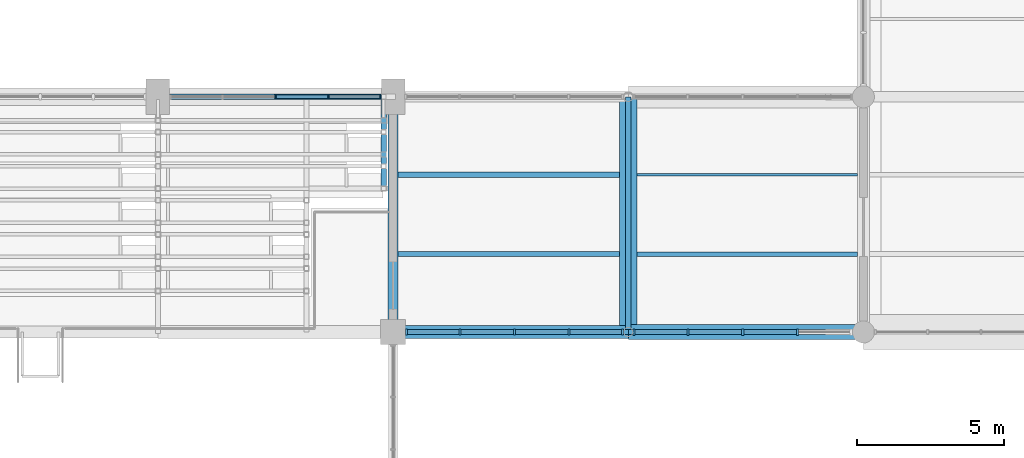
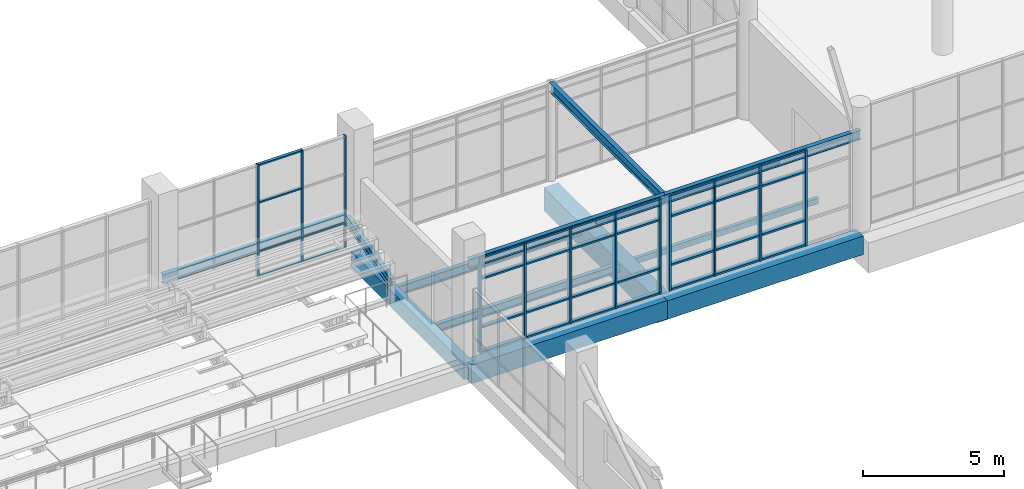
# One storey, part 18 of 122: 46 members, 13 beams, 3 elements without a shape of their own.
"""IFC4 building model written with IfcOpenShell, lengths in metres."""

from ifc_helpers import new_model, si_unit, direction, frame, origin, origin_2d, place, context, subcontext, project, spatial, rectangle, hollow_rectangle, i_section, extrude, material, material_profile, profile_set, type_object, element, aggregate, save


model = new_model("IFC4")

# Units and contexts
model_context = context("Model", 3, precision=1e-05, world=origin(), true_north=direction((0.0, 1.0)))
body_context = subcontext(model_context, "Body", "Model", "MODEL_VIEW")
ifc_project = project(units=[si_unit("LENGTHUNIT", "METRE"), si_unit("AREAUNIT", "SQUARE_METRE"), si_unit("VOLUMEUNIT", "CUBIC_METRE"), si_unit("PLANEANGLEUNIT", "RADIAN"), si_unit("MASSUNIT", "GRAM", prefix="KILO")], contexts=[model_context])

# Site, building, storey
site_placement = place(None, origin())
site = spatial("IfcSite", under=ifc_project, at=site_placement, CompositionType="ELEMENT")
building_placement = place(site_placement, origin())
building = spatial("IfcBuilding", under=site, at=building_placement, Name="Tenunan Teduh Sports Hall", CompositionType="ELEMENT")
storey_placement = place(building_placement, frame((0.0, 0.0, 5.39990234375)))
storey = spatial("IfcBuildingStorey", under=building, at=storey_placement, Name="L01", CompositionType="ELEMENT", Elevation=5.39990234375)

# Beams
ifc_material_1 = material(Name="Concrete C40/50", Category="concrete")
ifc_material_profile_1 = material_profile(ifc_material_1, rectangle(XDim=0.35009765625, YDim=0.699951171875, at=origin_2d()), Name="RCB 350x700")
ifc_profile_set_1 = profile_set([ifc_material_profile_1], Name="Concrete C40/50")
beam_type_1 = type_object("IfcBeamType", Name="BM-RC-350x700", PredefinedType="BEAM", material=ifc_profile_set_1)
beam_1_placement = place(storey_placement, frame((54.0, 38.0, -0.60986328125), z_axis=(0.0, 1.0, 0.0), x_axis=(-1.0, 0.0, 0.0)))
element("IfcBeam", 1, at=beam_1_placement, inside=storey, type_object=beam_type_1, Name="BM-B-06-L01-1221", PredefinedType="BEAM", context=body_context, shape_type="SweptSolid", body=[
    extrude(rectangle(XDim=0.35009765625, YDim=0.699951171875, at=origin_2d()), origin(), (0.0, 0.0, 1.0), 8.0),
])
ifc_material_2 = material(Name="Concrete C40/50", Category="concrete")
ifc_material_profile_2 = material_profile(ifc_material_2, rectangle(XDim=0.449951171875, YDim=0.800048828125, at=origin_2d()), Name="RCB 450x800")
ifc_profile_set_2 = profile_set([ifc_material_profile_2], Name="Concrete C40/50")
beam_type_2 = type_object("IfcBeamType", Name="BM-RC-450x800", PredefinedType="BEAM", material=ifc_profile_set_2)
beam_2_placement = place(storey_placement, frame((54.0, 38.0, -0.659912109375), z_axis=(1.0, 0.0, 0.0), x_axis=(0.0, 1.0, 0.0)))
element("IfcBeam", 2, at=beam_2_placement, inside=storey, type_object=beam_type_2, Name="BM-B-12-L01-1060", PredefinedType="BEAM", context=body_context, shape_type="SweptSolid", body=[
    extrude(rectangle(XDim=0.449951171875, YDim=0.800048828125, at=origin_2d()), origin(), (0.0, 0.0, 1.0), 8.0),
])
ifc_material_3 = material(Name="Concrete C40/50", Category="concrete")
ifc_material_profile_3 = material_profile(ifc_material_3, rectangle(XDim=0.5, YDim=0.800048828125, at=origin_2d()), Name="RCB 500x800")
ifc_profile_set_3 = profile_set([ifc_material_profile_3], Name="Concrete C40/50")
beam_type_3 = type_object("IfcBeamType", Name="BM-RC-500x800", PredefinedType="BEAM", material=ifc_profile_set_3)
beam_3_placement = place(storey_placement, frame((62.0, 38.0, -0.659912109375), z_axis=(1.0, 0.0, 0.0), x_axis=(0.0, 1.0, 0.0)))
element("IfcBeam", 3, at=beam_3_placement, inside=storey, type_object=beam_type_3, Name="BM-B-14-L01-1061", PredefinedType="BEAM", context=body_context, shape_type="SweptSolid", body=[
    extrude(rectangle(XDim=0.5, YDim=0.800048828125, at=origin_2d()), origin(), (0.0, 0.0, 1.0), 8.0),
])
ifc_material_4 = material(Name="Concrete C40/50", Category="concrete")
ifc_material_profile_4 = material_profile(ifc_material_4, rectangle(XDim=0.60009765625, YDim=1.0, at=origin_2d()), Name="RCB 600x1000")
ifc_profile_set_4 = profile_set([ifc_material_profile_4], Name="Concrete C40/50")
beam_type_4 = type_object("IfcBeamType", Name="BM-RC-600x1000", PredefinedType="BEAM", material=ifc_profile_set_4)
beam_4_placement = place(storey_placement, frame((62.0, 38.0, -0.760009765625), z_axis=(0.0, 1.0, 0.0), x_axis=(-1.0, 0.0, 0.0)))
element("IfcBeam", 4, at=beam_4_placement, inside=storey, type_object=beam_type_4, Name="BM-B-18-L01-1226", PredefinedType="BEAM", context=body_context, shape_type="SweptSolid", body=[
    extrude(rectangle(XDim=0.60009765625, YDim=1.0, at=origin_2d()), origin(), (0.0, 0.0, 1.0), 8.0),
])

# Curtain wall, members
ifc_material_5 = material(Name="Anodised aluminium", Category="aluminium")
curtain_wall_type_1 = type_object("IfcCurtainWallType", Name="CW-UNIT-1", PredefinedType="NOTDEFINED", material=ifc_material_5)
curtain_wall_1_placement = place(storey_placement, origin())
curtain_wall_1 = element("IfcCurtainWall", 5, at=curtain_wall_1_placement, inside=storey, type_object=curtain_wall_type_1, Name="CW-CWM-150-L01-051", PredefinedType="NOTDEFINED")
ifc_material_6 = material(Name="Anodised aluminium", Category="aluminium")
ifc_material_profile_5 = material_profile(ifc_material_6, rectangle(XDim=0.06005859375, YDim=0.14990234375, at=origin_2d()), Name="CWM 60x150")
ifc_profile_set_5 = profile_set([ifc_material_profile_5], Name="Anodised aluminium")
member_type_1 = type_object("IfcMemberType", Name="CWM-150", PredefinedType="MULLION", material=ifc_profile_set_5)
member_1_placement = place(storey_placement, frame((50.0, 46.0, 0.0), z_axis=(0.0, 0.0, 1.0), x_axis=(1.0, 0.0, 0.0)))
member_1 = element("IfcMember", 6, at=member_1_placement, type_object=member_type_1, Name="CW-01 mullion 3", PredefinedType="MULLION", context=body_context, shape_type="SweptSolid", body=[
    extrude(rectangle(XDim=0.06005859375, YDim=0.14990234375, at=origin_2d()), origin(), (0.0, 0.0, 1.0), 4.85009765625),
])
member_2_placement = place(storey_placement, frame((51.800048828125, 46.0, 0.0), z_axis=(0.0, 0.0, 1.0), x_axis=(1.0, 0.0, 0.0)))
member_2 = element("IfcMember", 7, at=member_2_placement, type_object=member_type_1, Name="CW-01 mullion 4", PredefinedType="MULLION", context=body_context, shape_type="SweptSolid", body=[
    extrude(rectangle(XDim=0.06005859375, YDim=0.14990234375, at=origin_2d()), origin(), (0.0, 0.0, 1.0), 4.85009765625),
])
member_3_placement = place(storey_placement, frame((53.570068359375, 46.0, 0.0), z_axis=(0.0, 0.0, 1.0), x_axis=(1.0, 0.0, 0.0)))
member_3 = element("IfcMember", 8, at=member_3_placement, type_object=member_type_1, Name="CW-01 mullion 5", PredefinedType="MULLION", context=body_context, shape_type="SweptSolid", body=[
    extrude(rectangle(XDim=0.06005859375, YDim=0.14990234375, at=origin_2d()), origin(), (0.0, 0.0, 1.0), 4.85009765625),
])

ifc_material_7 = material(Name="Anodised aluminium", Category="aluminium")
curtain_wall_type_2 = type_object("IfcCurtainWallType", Name="CW-UNIT-2", PredefinedType="NOTDEFINED", material=ifc_material_7)
curtain_wall_2_placement = place(storey_placement, origin())
curtain_wall_2 = element("IfcCurtainWall", 9, at=curtain_wall_2_placement, inside=storey, type_object=curtain_wall_type_2, Name="CW-CWM-200-L01-176", PredefinedType="NOTDEFINED")
ifc_material_8 = material(Name="Anodised aluminium", Category="aluminium")
ifc_material_profile_6 = material_profile(ifc_material_8, rectangle(XDim=0.070068359375, YDim=0.199951171875, at=origin_2d()), Name="CWM 70x200")
ifc_profile_set_6 = profile_set([ifc_material_profile_6], Name="Anodised aluminium")
member_type_2 = type_object("IfcMemberType", Name="CWM-200", PredefinedType="MULLION", material=ifc_profile_set_6)
member_4_placement = place(storey_placement, frame((54.4599609375, 38.0, 0.0), z_axis=(0.0, 0.0, 1.0), x_axis=(1.0, 0.0, 0.0)))
member_4 = element("IfcMember", 10, at=member_4_placement, type_object=member_type_2, Name="CW-02 mullion 1", PredefinedType="MULLION", context=body_context, shape_type="SweptSolid", body=[
    extrude(rectangle(XDim=0.070068359375, YDim=0.199951171875, at=origin_2d()), origin(), (0.0, 0.0, 1.0), 4.150146484375),
])
member_5_placement = place(storey_placement, frame((56.2783203125, 38.0, 0.0), z_axis=(0.0, 0.0, 1.0), x_axis=(1.0, 0.0, 0.0)))
member_5 = element("IfcMember", 11, at=member_5_placement, type_object=member_type_2, Name="CW-02 mullion 2", PredefinedType="MULLION", context=body_context, shape_type="SweptSolid", body=[
    extrude(rectangle(XDim=0.070068359375, YDim=0.199951171875, at=origin_2d()), origin(), (0.0, 0.0, 1.0), 4.150146484375),
])
member_6_placement = place(storey_placement, frame((58.131591796875, 38.0, 0.0), z_axis=(0.0, 0.0, 1.0), x_axis=(1.0, 0.0, 0.0)))
member_6 = element("IfcMember", 12, at=member_6_placement, type_object=member_type_2, Name="CW-02 mullion 3", PredefinedType="MULLION", context=body_context, shape_type="SweptSolid", body=[
    extrude(rectangle(XDim=0.070068359375, YDim=0.199951171875, at=origin_2d()), origin(), (0.0, 0.0, 1.0), 4.150146484375),
])
member_7_placement = place(storey_placement, frame((59.98486328125, 38.0, 0.0), z_axis=(0.0, 0.0, 1.0), x_axis=(1.0, 0.0, 0.0)))
member_7 = element("IfcMember", 13, at=member_7_placement, type_object=member_type_2, Name="CW-02 mullion 4", PredefinedType="MULLION", context=body_context, shape_type="SweptSolid", body=[
    extrude(rectangle(XDim=0.070068359375, YDim=0.199951171875, at=origin_2d()), origin(), (0.0, 0.0, 1.0), 4.150146484375),
])
member_8_placement = place(storey_placement, frame((61.802978515625, 38.0, 0.0), z_axis=(0.0, 0.0, 1.0), x_axis=(1.0, 0.0, 0.0)))
member_8 = element("IfcMember", 14, at=member_8_placement, type_object=member_type_2, Name="CW-02 mullion 5", PredefinedType="MULLION", context=body_context, shape_type="SweptSolid", body=[
    extrude(rectangle(XDim=0.070068359375, YDim=0.199951171875, at=origin_2d()), origin(), (0.0, 0.0, 1.0), 4.150146484375),
])

curtain_wall_3_placement = place(storey_placement, origin())
curtain_wall_3 = element("IfcCurtainWall", 15, at=curtain_wall_3_placement, inside=storey, type_object=curtain_wall_type_2, Name="CW-CWM-220-L01-177", PredefinedType="NOTDEFINED")
ifc_material_9 = material(Name="Anodised aluminium", Category="aluminium")
ifc_material_profile_7 = material_profile(ifc_material_9, rectangle(XDim=0.074951171875, YDim=0.219970703125, at=origin_2d()), Name="CWM 75x220")
ifc_profile_set_7 = profile_set([ifc_material_profile_7], Name="Anodised aluminium")
member_type_3 = type_object("IfcMemberType", Name="CWM-220", PredefinedType="MULLION", material=ifc_profile_set_7)
member_9_placement = place(storey_placement, frame((62.199462890625, 38.0, 0.0), z_axis=(0.0, 0.0, 1.0), x_axis=(1.0, 0.0, 0.0)))
member_9 = element("IfcMember", 16, at=member_9_placement, type_object=member_type_3, Name="CW-02 mullion 1", PredefinedType="MULLION", context=body_context, shape_type="SweptSolid", body=[
    extrude(rectangle(XDim=0.074951171875, YDim=0.219970703125, at=origin_2d()), origin(), (0.0, 0.0, 1.0), 4.150146484375),
])
member_10_placement = place(storey_placement, frame((64.027587890625, 38.0, 0.0), z_axis=(0.0, 0.0, 1.0), x_axis=(1.0, 0.0, 0.0)))
member_10 = element("IfcMember", 17, at=member_10_placement, type_object=member_type_3, Name="CW-02 mullion 2", PredefinedType="MULLION", context=body_context, shape_type="SweptSolid", body=[
    extrude(rectangle(XDim=0.074951171875, YDim=0.219970703125, at=origin_2d()), origin(), (0.0, 0.0, 1.0), 4.150146484375),
])
member_11_placement = place(storey_placement, frame((65.8935546875, 38.0, 0.0), z_axis=(0.0, 0.0, 1.0), x_axis=(1.0, 0.0, 0.0)))
member_11 = element("IfcMember", 18, at=member_11_placement, type_object=member_type_3, Name="CW-02 mullion 3", PredefinedType="MULLION", context=body_context, shape_type="SweptSolid", body=[
    extrude(rectangle(XDim=0.074951171875, YDim=0.219970703125, at=origin_2d()), origin(), (0.0, 0.0, 1.0), 4.150146484375),
])
member_12_placement = place(storey_placement, frame((67.75927734375, 38.0, 0.0), z_axis=(0.0, 0.0, 1.0), x_axis=(1.0, 0.0, 0.0)))
member_12 = element("IfcMember", 19, at=member_12_placement, type_object=member_type_3, Name="CW-02 mullion 4", PredefinedType="MULLION", context=body_context, shape_type="SweptSolid", body=[
    extrude(rectangle(XDim=0.074951171875, YDim=0.219970703125, at=origin_2d()), origin(), (0.0, 0.0, 1.0), 4.150146484375),
])

# Member
ifc_material_10 = material(Name="Anodised aluminium", Category="aluminium")
ifc_material_profile_8 = material_profile(ifc_material_10, rectangle(XDim=0.06005859375, YDim=0.1201171875, at=origin_2d()), Name="CWT 60x120")
ifc_profile_set_8 = profile_set([ifc_material_profile_8], Name="Anodised aluminium")
member_type_4 = type_object("IfcMemberType", Name="CWT-125", PredefinedType="USERDEFINED", material=ifc_profile_set_8)
member_13_placement = place(storey_placement, frame((50.030029296875, 46.0, 0.030029296875), z_axis=(1.0, 0.0, 0.0), x_axis=(0.0, 0.0, 1.0)))
member_13 = element("IfcMember", 20, at=member_13_placement, type_object=member_type_4, Name="CW-01 transom 3.1", ObjectType="TRANSOM", PredefinedType="USERDEFINED", context=body_context, shape_type="SweptSolid", body=[
    extrude(rectangle(XDim=0.06005859375, YDim=0.1201171875, at=origin_2d()), origin(), (0.0, 0.0, 1.0), 1.739990234375),
])

member_14_placement = place(storey_placement, frame((50.030029296875, 46.0, 1.10009765625), z_axis=(1.0, 0.0, 0.0), x_axis=(0.0, 0.0, 1.0)))
member_14 = element("IfcMember", 21, at=member_14_placement, type_object=member_type_4, Name="CW-01 transom 3.2", ObjectType="TRANSOM", PredefinedType="USERDEFINED", context=body_context, shape_type="SweptSolid", body=[
    extrude(rectangle(XDim=0.06005859375, YDim=0.1201171875, at=origin_2d()), origin(), (0.0, 0.0, 1.0), 1.739990234375),
])

member_15_placement = place(storey_placement, frame((50.030029296875, 46.0, 3.2001953125), z_axis=(1.0, 0.0, 0.0), x_axis=(0.0, 0.0, 1.0)))
member_15 = element("IfcMember", 22, at=member_15_placement, type_object=member_type_4, Name="CW-01 transom 3.3", ObjectType="TRANSOM", PredefinedType="USERDEFINED", context=body_context, shape_type="SweptSolid", body=[
    extrude(rectangle(XDim=0.06005859375, YDim=0.1201171875, at=origin_2d()), origin(), (0.0, 0.0, 1.0), 1.739990234375),
])

member_16_placement = place(storey_placement, frame((50.030029296875, 46.0, 4.820068359375), z_axis=(1.0, 0.0, 0.0), x_axis=(0.0, 0.0, 1.0)))
member_16 = element("IfcMember", 23, at=member_16_placement, type_object=member_type_4, Name="CW-01 transom 3.4", ObjectType="TRANSOM", PredefinedType="USERDEFINED", context=body_context, shape_type="SweptSolid", body=[
    extrude(rectangle(XDim=0.06005859375, YDim=0.1201171875, at=origin_2d()), origin(), (0.0, 0.0, 1.0), 1.739990234375),
])

member_17_placement = place(storey_placement, frame((51.830078125, 46.0, 0.030029296875), z_axis=(1.0, 0.0, 0.0), x_axis=(0.0, 0.0, 1.0)))
member_17 = element("IfcMember", 24, at=member_17_placement, type_object=member_type_4, Name="CW-01 transom 4.1", ObjectType="TRANSOM", PredefinedType="USERDEFINED", context=body_context, shape_type="SweptSolid", body=[
    extrude(rectangle(XDim=0.06005859375, YDim=0.1201171875, at=origin_2d()), origin(), (0.0, 0.0, 1.0), 1.7099609375),
])

member_18_placement = place(storey_placement, frame((51.830078125, 46.0, 1.10009765625), z_axis=(1.0, 0.0, 0.0), x_axis=(0.0, 0.0, 1.0)))
member_18 = element("IfcMember", 25, at=member_18_placement, type_object=member_type_4, Name="CW-01 transom 4.2", ObjectType="TRANSOM", PredefinedType="USERDEFINED", context=body_context, shape_type="SweptSolid", body=[
    extrude(rectangle(XDim=0.06005859375, YDim=0.1201171875, at=origin_2d()), origin(), (0.0, 0.0, 1.0), 1.7099609375),
])

aggregate(curtain_wall_1, [member_1, member_2, member_3, member_13, member_14, member_15, member_16, member_17, member_18])

ifc_material_11 = material(Name="Anodised aluminium", Category="aluminium")
ifc_material_profile_9 = material_profile(ifc_material_11, rectangle(XDim=0.074951171875, YDim=0.179931640625, at=origin_2d()), Name="CWT 75x180")
ifc_profile_set_9 = profile_set([ifc_material_profile_9], Name="Anodised aluminium")
member_type_5 = type_object("IfcMemberType", Name="CWT-180", PredefinedType="USERDEFINED", material=ifc_profile_set_9)
member_19_placement = place(storey_placement, frame((62.23681640625, 38.0, 0.03759765625), z_axis=(1.0, 0.0, 0.0), x_axis=(0.0, 0.0, 1.0)))
member_19 = element("IfcMember", 26, at=member_19_placement, type_object=member_type_5, Name="CW-02 transom 1.1", ObjectType="TRANSOM", PredefinedType="USERDEFINED", context=body_context, shape_type="SweptSolid", body=[
    extrude(rectangle(XDim=0.074951171875, YDim=0.179931640625, at=origin_2d()), origin(), (0.0, 0.0, 1.0), 1.75341796875),
])

member_20_placement = place(storey_placement, frame((62.23681640625, 38.0, 1.10009765625), z_axis=(1.0, 0.0, 0.0), x_axis=(0.0, 0.0, 1.0)))
member_20 = element("IfcMember", 27, at=member_20_placement, type_object=member_type_5, Name="CW-02 transom 1.2", ObjectType="TRANSOM", PredefinedType="USERDEFINED", context=body_context, shape_type="SweptSolid", body=[
    extrude(rectangle(XDim=0.074951171875, YDim=0.179931640625, at=origin_2d()), origin(), (0.0, 0.0, 1.0), 1.75341796875),
])

member_21_placement = place(storey_placement, frame((62.23681640625, 38.0, 3.2001953125), z_axis=(1.0, 0.0, 0.0), x_axis=(0.0, 0.0, 1.0)))
member_21 = element("IfcMember", 28, at=member_21_placement, type_object=member_type_5, Name="CW-02 transom 1.3", ObjectType="TRANSOM", PredefinedType="USERDEFINED", context=body_context, shape_type="SweptSolid", body=[
    extrude(rectangle(XDim=0.074951171875, YDim=0.179931640625, at=origin_2d()), origin(), (0.0, 0.0, 1.0), 1.75341796875),
])

member_22_placement = place(storey_placement, frame((62.23681640625, 38.0, 4.112548828125), z_axis=(1.0, 0.0, 0.0), x_axis=(0.0, 0.0, 1.0)))
member_22 = element("IfcMember", 29, at=member_22_placement, type_object=member_type_5, Name="CW-02 transom 1.4", ObjectType="TRANSOM", PredefinedType="USERDEFINED", context=body_context, shape_type="SweptSolid", body=[
    extrude(rectangle(XDim=0.074951171875, YDim=0.179931640625, at=origin_2d()), origin(), (0.0, 0.0, 1.0), 1.75341796875),
])

member_23_placement = place(storey_placement, frame((64.065185546875, 38.0, 0.03759765625), z_axis=(1.0, 0.0, 0.0), x_axis=(0.0, 0.0, 1.0)))
member_23 = element("IfcMember", 30, at=member_23_placement, type_object=member_type_5, Name="CW-02 transom 2.1", ObjectType="TRANSOM", PredefinedType="USERDEFINED", context=body_context, shape_type="SweptSolid", body=[
    extrude(rectangle(XDim=0.074951171875, YDim=0.179931640625, at=origin_2d()), origin(), (0.0, 0.0, 1.0), 1.790771484375),
])

member_24_placement = place(storey_placement, frame((64.065185546875, 38.0, 1.10009765625), z_axis=(1.0, 0.0, 0.0), x_axis=(0.0, 0.0, 1.0)))
member_24 = element("IfcMember", 31, at=member_24_placement, type_object=member_type_5, Name="CW-02 transom 2.2", ObjectType="TRANSOM", PredefinedType="USERDEFINED", context=body_context, shape_type="SweptSolid", body=[
    extrude(rectangle(XDim=0.074951171875, YDim=0.179931640625, at=origin_2d()), origin(), (0.0, 0.0, 1.0), 1.790771484375),
])

member_25_placement = place(storey_placement, frame((64.065185546875, 38.0, 3.2001953125), z_axis=(1.0, 0.0, 0.0), x_axis=(0.0, 0.0, 1.0)))
member_25 = element("IfcMember", 32, at=member_25_placement, type_object=member_type_5, Name="CW-02 transom 2.3", ObjectType="TRANSOM", PredefinedType="USERDEFINED", context=body_context, shape_type="SweptSolid", body=[
    extrude(rectangle(XDim=0.074951171875, YDim=0.179931640625, at=origin_2d()), origin(), (0.0, 0.0, 1.0), 1.790771484375),
])

member_26_placement = place(storey_placement, frame((64.065185546875, 38.0, 4.112548828125), z_axis=(1.0, 0.0, 0.0), x_axis=(0.0, 0.0, 1.0)))
member_26 = element("IfcMember", 33, at=member_26_placement, type_object=member_type_5, Name="CW-02 transom 2.4", ObjectType="TRANSOM", PredefinedType="USERDEFINED", context=body_context, shape_type="SweptSolid", body=[
    extrude(rectangle(XDim=0.074951171875, YDim=0.179931640625, at=origin_2d()), origin(), (0.0, 0.0, 1.0), 1.790771484375),
])

member_27_placement = place(storey_placement, frame((65.930908203125, 38.0, 0.03759765625), z_axis=(1.0, 0.0, 0.0), x_axis=(0.0, 0.0, 1.0)))
member_27 = element("IfcMember", 34, at=member_27_placement, type_object=member_type_5, Name="CW-02 transom 3.1", ObjectType="TRANSOM", PredefinedType="USERDEFINED", context=body_context, shape_type="SweptSolid", body=[
    extrude(rectangle(XDim=0.074951171875, YDim=0.179931640625, at=origin_2d()), origin(), (0.0, 0.0, 1.0), 1.790771484375),
])

member_28_placement = place(storey_placement, frame((65.930908203125, 38.0, 1.10009765625), z_axis=(1.0, 0.0, 0.0), x_axis=(0.0, 0.0, 1.0)))
member_28 = element("IfcMember", 35, at=member_28_placement, type_object=member_type_5, Name="CW-02 transom 3.2", ObjectType="TRANSOM", PredefinedType="USERDEFINED", context=body_context, shape_type="SweptSolid", body=[
    extrude(rectangle(XDim=0.074951171875, YDim=0.179931640625, at=origin_2d()), origin(), (0.0, 0.0, 1.0), 1.790771484375),
])

member_29_placement = place(storey_placement, frame((65.930908203125, 38.0, 3.2001953125), z_axis=(1.0, 0.0, 0.0), x_axis=(0.0, 0.0, 1.0)))
member_29 = element("IfcMember", 36, at=member_29_placement, type_object=member_type_5, Name="CW-02 transom 3.3", ObjectType="TRANSOM", PredefinedType="USERDEFINED", context=body_context, shape_type="SweptSolid", body=[
    extrude(rectangle(XDim=0.074951171875, YDim=0.179931640625, at=origin_2d()), origin(), (0.0, 0.0, 1.0), 1.790771484375),
])

member_30_placement = place(storey_placement, frame((65.930908203125, 38.0, 4.112548828125), z_axis=(1.0, 0.0, 0.0), x_axis=(0.0, 0.0, 1.0)))
member_30 = element("IfcMember", 37, at=member_30_placement, type_object=member_type_5, Name="CW-02 transom 3.4", ObjectType="TRANSOM", PredefinedType="USERDEFINED", context=body_context, shape_type="SweptSolid", body=[
    extrude(rectangle(XDim=0.074951171875, YDim=0.179931640625, at=origin_2d()), origin(), (0.0, 0.0, 1.0), 1.790771484375),
])

aggregate(curtain_wall_3, [member_9, member_10, member_11, member_12, member_19, member_20, member_21, member_22, member_23, member_24, member_25, member_26, member_27, member_28, member_29, member_30])

ifc_material_12 = material(Name="Anodised aluminium", Category="aluminium")
ifc_material_profile_10 = material_profile(ifc_material_12, rectangle(XDim=0.070068359375, YDim=0.159912109375, at=origin_2d()), Name="CWT 70x160")
ifc_profile_set_10 = profile_set([ifc_material_profile_10], Name="Anodised aluminium")
member_type_6 = type_object("IfcMemberType", Name="CWT-200", PredefinedType="USERDEFINED", material=ifc_profile_set_10)
member_31_placement = place(storey_placement, frame((54.4951171875, 38.0, 0.03515625), z_axis=(1.0, 0.0, 0.0), x_axis=(0.0, 0.0, 1.0)))
member_31 = element("IfcMember", 38, at=member_31_placement, type_object=member_type_6, Name="CW-02 transom 1.1", ObjectType="TRANSOM", PredefinedType="USERDEFINED", context=body_context, shape_type="SweptSolid", body=[
    extrude(rectangle(XDim=0.070068359375, YDim=0.159912109375, at=origin_2d()), origin(), (0.0, 0.0, 1.0), 1.748046875),
])

member_32_placement = place(storey_placement, frame((54.4951171875, 38.0, 1.10009765625), z_axis=(1.0, 0.0, 0.0), x_axis=(0.0, 0.0, 1.0)))
member_32 = element("IfcMember", 39, at=member_32_placement, type_object=member_type_6, Name="CW-02 transom 1.2", ObjectType="TRANSOM", PredefinedType="USERDEFINED", context=body_context, shape_type="SweptSolid", body=[
    extrude(rectangle(XDim=0.070068359375, YDim=0.159912109375, at=origin_2d()), origin(), (0.0, 0.0, 1.0), 1.748046875),
])

member_33_placement = place(storey_placement, frame((54.4951171875, 38.0, 3.2001953125), z_axis=(1.0, 0.0, 0.0), x_axis=(0.0, 0.0, 1.0)))
member_33 = element("IfcMember", 40, at=member_33_placement, type_object=member_type_6, Name="CW-02 transom 1.3", ObjectType="TRANSOM", PredefinedType="USERDEFINED", context=body_context, shape_type="SweptSolid", body=[
    extrude(rectangle(XDim=0.070068359375, YDim=0.159912109375, at=origin_2d()), origin(), (0.0, 0.0, 1.0), 1.748046875),
])

member_34_placement = place(storey_placement, frame((54.4951171875, 38.0, 4.114990234375), z_axis=(1.0, 0.0, 0.0), x_axis=(0.0, 0.0, 1.0)))
member_34 = element("IfcMember", 41, at=member_34_placement, type_object=member_type_6, Name="CW-02 transom 1.4", ObjectType="TRANSOM", PredefinedType="USERDEFINED", context=body_context, shape_type="SweptSolid", body=[
    extrude(rectangle(XDim=0.070068359375, YDim=0.159912109375, at=origin_2d()), origin(), (0.0, 0.0, 1.0), 1.748046875),
])

member_35_placement = place(storey_placement, frame((56.313232421875, 38.0, 0.03515625), z_axis=(1.0, 0.0, 0.0), x_axis=(0.0, 0.0, 1.0)))
member_35 = element("IfcMember", 42, at=member_35_placement, type_object=member_type_6, Name="CW-02 transom 2.1", ObjectType="TRANSOM", PredefinedType="USERDEFINED", context=body_context, shape_type="SweptSolid", body=[
    extrude(rectangle(XDim=0.070068359375, YDim=0.159912109375, at=origin_2d()), origin(), (0.0, 0.0, 1.0), 1.783203125),
])

member_36_placement = place(storey_placement, frame((56.313232421875, 38.0, 1.10009765625), z_axis=(1.0, 0.0, 0.0), x_axis=(0.0, 0.0, 1.0)))
member_36 = element("IfcMember", 43, at=member_36_placement, type_object=member_type_6, Name="CW-02 transom 2.2", ObjectType="TRANSOM", PredefinedType="USERDEFINED", context=body_context, shape_type="SweptSolid", body=[
    extrude(rectangle(XDim=0.070068359375, YDim=0.159912109375, at=origin_2d()), origin(), (0.0, 0.0, 1.0), 1.783203125),
])

member_37_placement = place(storey_placement, frame((56.313232421875, 38.0, 3.2001953125), z_axis=(1.0, 0.0, 0.0), x_axis=(0.0, 0.0, 1.0)))
member_37 = element("IfcMember", 44, at=member_37_placement, type_object=member_type_6, Name="CW-02 transom 2.3", ObjectType="TRANSOM", PredefinedType="USERDEFINED", context=body_context, shape_type="SweptSolid", body=[
    extrude(rectangle(XDim=0.070068359375, YDim=0.159912109375, at=origin_2d()), origin(), (0.0, 0.0, 1.0), 1.783203125),
])

member_38_placement = place(storey_placement, frame((56.313232421875, 38.0, 4.114990234375), z_axis=(1.0, 0.0, 0.0), x_axis=(0.0, 0.0, 1.0)))
member_38 = element("IfcMember", 45, at=member_38_placement, type_object=member_type_6, Name="CW-02 transom 2.4", ObjectType="TRANSOM", PredefinedType="USERDEFINED", context=body_context, shape_type="SweptSolid", body=[
    extrude(rectangle(XDim=0.070068359375, YDim=0.159912109375, at=origin_2d()), origin(), (0.0, 0.0, 1.0), 1.783203125),
])

member_39_placement = place(storey_placement, frame((58.16650390625, 38.0, 0.03515625), z_axis=(1.0, 0.0, 0.0), x_axis=(0.0, 0.0, 1.0)))
member_39 = element("IfcMember", 46, at=member_39_placement, type_object=member_type_6, Name="CW-02 transom 3.1", ObjectType="TRANSOM", PredefinedType="USERDEFINED", context=body_context, shape_type="SweptSolid", body=[
    extrude(rectangle(XDim=0.070068359375, YDim=0.159912109375, at=origin_2d()), origin(), (0.0, 0.0, 1.0), 1.783203125),
])

member_40_placement = place(storey_placement, frame((58.16650390625, 38.0, 1.10009765625), z_axis=(1.0, 0.0, 0.0), x_axis=(0.0, 0.0, 1.0)))
member_40 = element("IfcMember", 47, at=member_40_placement, type_object=member_type_6, Name="CW-02 transom 3.2", ObjectType="TRANSOM", PredefinedType="USERDEFINED", context=body_context, shape_type="SweptSolid", body=[
    extrude(rectangle(XDim=0.070068359375, YDim=0.159912109375, at=origin_2d()), origin(), (0.0, 0.0, 1.0), 1.783203125),
])

member_41_placement = place(storey_placement, frame((58.16650390625, 38.0, 3.2001953125), z_axis=(1.0, 0.0, 0.0), x_axis=(0.0, 0.0, 1.0)))
member_41 = element("IfcMember", 48, at=member_41_placement, type_object=member_type_6, Name="CW-02 transom 3.3", ObjectType="TRANSOM", PredefinedType="USERDEFINED", context=body_context, shape_type="SweptSolid", body=[
    extrude(rectangle(XDim=0.070068359375, YDim=0.159912109375, at=origin_2d()), origin(), (0.0, 0.0, 1.0), 1.783203125),
])

member_42_placement = place(storey_placement, frame((58.16650390625, 38.0, 4.114990234375), z_axis=(1.0, 0.0, 0.0), x_axis=(0.0, 0.0, 1.0)))
member_42 = element("IfcMember", 49, at=member_42_placement, type_object=member_type_6, Name="CW-02 transom 3.4", ObjectType="TRANSOM", PredefinedType="USERDEFINED", context=body_context, shape_type="SweptSolid", body=[
    extrude(rectangle(XDim=0.070068359375, YDim=0.159912109375, at=origin_2d()), origin(), (0.0, 0.0, 1.0), 1.783203125),
])

member_43_placement = place(storey_placement, frame((60.019775390625, 38.0, 0.03515625), z_axis=(1.0, 0.0, 0.0), x_axis=(0.0, 0.0, 1.0)))
member_43 = element("IfcMember", 50, at=member_43_placement, type_object=member_type_6, Name="CW-02 transom 4.1", ObjectType="TRANSOM", PredefinedType="USERDEFINED", context=body_context, shape_type="SweptSolid", body=[
    extrude(rectangle(XDim=0.070068359375, YDim=0.159912109375, at=origin_2d()), origin(), (0.0, 0.0, 1.0), 1.748291015625),
])

member_44_placement = place(storey_placement, frame((60.019775390625, 38.0, 1.10009765625), z_axis=(1.0, 0.0, 0.0), x_axis=(0.0, 0.0, 1.0)))
member_44 = element("IfcMember", 51, at=member_44_placement, type_object=member_type_6, Name="CW-02 transom 4.2", ObjectType="TRANSOM", PredefinedType="USERDEFINED", context=body_context, shape_type="SweptSolid", body=[
    extrude(rectangle(XDim=0.070068359375, YDim=0.159912109375, at=origin_2d()), origin(), (0.0, 0.0, 1.0), 1.748291015625),
])

member_45_placement = place(storey_placement, frame((60.019775390625, 38.0, 3.2001953125), z_axis=(1.0, 0.0, 0.0), x_axis=(0.0, 0.0, 1.0)))
member_45 = element("IfcMember", 52, at=member_45_placement, type_object=member_type_6, Name="CW-02 transom 4.3", ObjectType="TRANSOM", PredefinedType="USERDEFINED", context=body_context, shape_type="SweptSolid", body=[
    extrude(rectangle(XDim=0.070068359375, YDim=0.159912109375, at=origin_2d()), origin(), (0.0, 0.0, 1.0), 1.748291015625),
])

member_46_placement = place(storey_placement, frame((60.019775390625, 38.0, 4.114990234375), z_axis=(1.0, 0.0, 0.0), x_axis=(0.0, 0.0, 1.0)))
member_46 = element("IfcMember", 53, at=member_46_placement, type_object=member_type_6, Name="CW-02 transom 4.4", ObjectType="TRANSOM", PredefinedType="USERDEFINED", context=body_context, shape_type="SweptSolid", body=[
    extrude(rectangle(XDim=0.070068359375, YDim=0.159912109375, at=origin_2d()), origin(), (0.0, 0.0, 1.0), 1.748291015625),
])

aggregate(curtain_wall_2, [member_4, member_5, member_6, member_7, member_8, member_31, member_32, member_33, member_34, member_35, member_36, member_37, member_38, member_39, member_40, member_41, member_42, member_43, member_44, member_45, member_46])

# Beams
ifc_material_13 = material(Name="Steel S355", Category="steel")
ifc_material_profile_11 = material_profile(ifc_material_13, i_section(OverallWidth=0.169921875, OverallDepth=0.360107421875, WebThickness=0.008056640625, FlangeThickness=0.0126953125, FilletRadius=0.01806640625, at=origin_2d()), Name="IPE 360")
ifc_profile_set_11 = profile_set([ifc_material_profile_11], Name="Steel S355")
beam_type_5 = type_object("IfcBeamType", Name="JST-IPE360", PredefinedType="JOIST", material=ifc_profile_set_11)
beam_5_placement = place(storey_placement, frame((54.175048828125, 40.64990234375, -0.43994140625), z_axis=(1.0, 0.0, 0.0), x_axis=(0.0, 1.0, 0.0)))
element("IfcBeam", 54, at=beam_5_placement, inside=storey, type_object=beam_type_5, Name="BM-J-05-L01-1356", PredefinedType="JOIST", context=body_context, shape_type="SweptSolid", body=[
    extrude(i_section(OverallWidth=0.169921875, OverallDepth=0.360107421875, WebThickness=0.008056640625, FlangeThickness=0.0126953125, FilletRadius=0.01806640625, at=origin_2d()), origin(), (0.0, 0.0, 1.0), 7.52490234375),
])
ifc_material_14 = material(Name="Steel S355", Category="steel")
ifc_material_profile_12 = material_profile(ifc_material_14, i_section(OverallWidth=0.179931640625, OverallDepth=0.39990234375, WebThickness=0.008544921875, FlangeThickness=0.013427734375, FilletRadius=0.02099609375, at=origin_2d()), Name="IPE 400")
ifc_profile_set_12 = profile_set([ifc_material_profile_12], Name="Steel S355")
beam_type_6 = type_object("IfcBeamType", Name="JST-IPE400", PredefinedType="JOIST", material=ifc_profile_set_12)
beam_6_placement = place(storey_placement, frame((54.175048828125, 43.35009765625, -0.4599609375), z_axis=(1.0, 0.0, 0.0), x_axis=(0.0, 1.0, 0.0)))
element("IfcBeam", 55, at=beam_6_placement, inside=storey, type_object=beam_type_6, Name="BM-J-06-L01-1357", PredefinedType="JOIST", context=body_context, shape_type="SweptSolid", body=[
    extrude(i_section(OverallWidth=0.179931640625, OverallDepth=0.39990234375, WebThickness=0.008544921875, FlangeThickness=0.013427734375, FilletRadius=0.02099609375, at=origin_2d()), origin(), (0.0, 0.0, 1.0), 7.52490234375),
])
ifc_material_15 = material(Name="Steel S355", Category="steel")
ifc_material_profile_13 = material_profile(ifc_material_15, hollow_rectangle(XDim=0.10009765625, YDim=0.199951171875, WallThickness=0.008056640625, at=origin_2d()), Name="RHS 200x100x8.0")
ifc_profile_set_13 = profile_set([ifc_material_profile_13], Name="Steel S355")
beam_type_7 = type_object("IfcBeamType", Name="RBM-RHS200", PredefinedType="JOIST", material=ifc_profile_set_13)
beam_7_placement = place(storey_placement, frame((62.300048828125, 43.35009765625, -0.35986328125), z_axis=(1.0, 0.0, 0.0), x_axis=(0.0, 1.0, 0.0)))
element("IfcBeam", 56, at=beam_7_placement, inside=storey, type_object=beam_type_7, Name="Perimeter Ring Beam BM-RB-05-L01-1363", PredefinedType="JOIST", context=body_context, shape_type="SweptSolid", body=[
    extrude(hollow_rectangle(XDim=0.10009765625, YDim=0.199951171875, WallThickness=0.008056640625, at=origin_2d()), origin(), (0.0, 0.0, 1.0), 7.5),
])
ifc_material_16 = material(Name="Steel S355", Category="steel")
ifc_material_profile_14 = material_profile(ifc_material_16, hollow_rectangle(XDim=0.14990234375, YDim=0.25, WallThickness=0.010009765625, at=origin_2d()), Name="RHS 250x150x10.0")
ifc_profile_set_14 = profile_set([ifc_material_profile_14], Name="Steel S355")
beam_type_8 = type_object("IfcBeamType", Name="RBM-RHS250", PredefinedType="BEAM", material=ifc_profile_set_14)
beam_8_placement = place(storey_placement, frame((62.300048828125, 40.64990234375, -0.385009765625), z_axis=(1.0, 0.0, 0.0), x_axis=(0.0, 1.0, 0.0)))
element("IfcBeam", 57, at=beam_8_placement, inside=storey, type_object=beam_type_8, Name="Perimeter Ring Beam BM-RB-04-L01-1362", PredefinedType="BEAM", context=body_context, shape_type="SweptSolid", body=[
    extrude(hollow_rectangle(XDim=0.14990234375, YDim=0.25, WallThickness=0.010009765625, at=origin_2d()), origin(), (0.0, 0.0, 1.0), 7.5),
])
ifc_material_17 = material(Name="Steel S355", Category="steel")
ifc_material_profile_15 = material_profile(ifc_material_17, i_section(OverallWidth=0.177978515625, OverallDepth=0.406494140625, WebThickness=0.0078125, FlangeThickness=0.0126953125, FilletRadius=0.01025390625, at=origin_2d()), Name="UKB 406x178x60")
ifc_profile_set_15 = profile_set([ifc_material_profile_15], Name="Steel S355")
beam_type_9 = type_object("IfcBeamType", Name="SBM-UKB406", PredefinedType="BEAM", material=ifc_profile_set_15)
for number, where, z_axis, x_axis, name in (
    (58, (54.0, 38.0, 4.01708984375), (1.0, 0.0, 0.0), (0.0, 1.0, 0.0), "BM-SB-03-L01-0615"),
    (59, (62.0, 38.0, 4.01708984375), (1.0, 0.0, 0.0), (0.0, 1.0, 0.0), "BM-SB-03-L01-0616"),
    (60, (62.0, 38.0, 4.01708984375), (0.0, 1.0, 0.0), (-1.0, 0.0, 0.0), "BM-SB-03-L01-0619"),
):
    element("IfcBeam", number, at=place(storey_placement, frame(where, z_axis=z_axis, x_axis=x_axis)), inside=storey, type_object=beam_type_9, Name=name, PredefinedType="BEAM", context=body_context, shape_type="SweptSolid", body=[
        extrude(i_section(OverallWidth=0.177978515625, OverallDepth=0.406494140625, WebThickness=0.0078125, FlangeThickness=0.0126953125, FilletRadius=0.01025390625, at=origin_2d()), origin(), (0.0, 0.0, 1.0), 8.0),
    ])
beam_9_placement = place(storey_placement, frame((53.679931640625, 42.8798828125, 0.3583984375), z_axis=(0.0, 0.965744052218, 0.259496484766), x_axis=(-1.0, 0.0, 0.0)))
element("IfcBeam", 61, at=beam_9_placement, inside=storey, type_object=beam_type_9, Name="BM-SB-03-L01-2402", PredefinedType="BEAM", context=body_context, shape_type="SweptSolid", body=[
    extrude(i_section(OverallWidth=0.177978515625, OverallDepth=0.406494140625, WebThickness=0.0078125, FlangeThickness=0.0126953125, FilletRadius=0.01025390625, at=origin_2d()), origin(), (0.0, 0.0, 1.0), 3.230712890625),
])
beam_10_placement = place(storey_placement, frame((46.090087890625, 46.0, 1.27685546875), z_axis=(1.0, 0.0, 0.0), x_axis=(0.0, 1.0, 0.0)))
element("IfcBeam", 62, at=beam_10_placement, inside=storey, type_object=beam_type_9, Name="BM-SB-03-L01-2414", PredefinedType="BEAM", context=body_context, shape_type="SweptSolid", body=[
    extrude(i_section(OverallWidth=0.177978515625, OverallDepth=0.406494140625, WebThickness=0.0078125, FlangeThickness=0.0126953125, FilletRadius=0.01025390625, at=origin_2d()), origin(), (0.0, 0.0, 1.0), 7.5),
])

save(model, "model.ifc")
